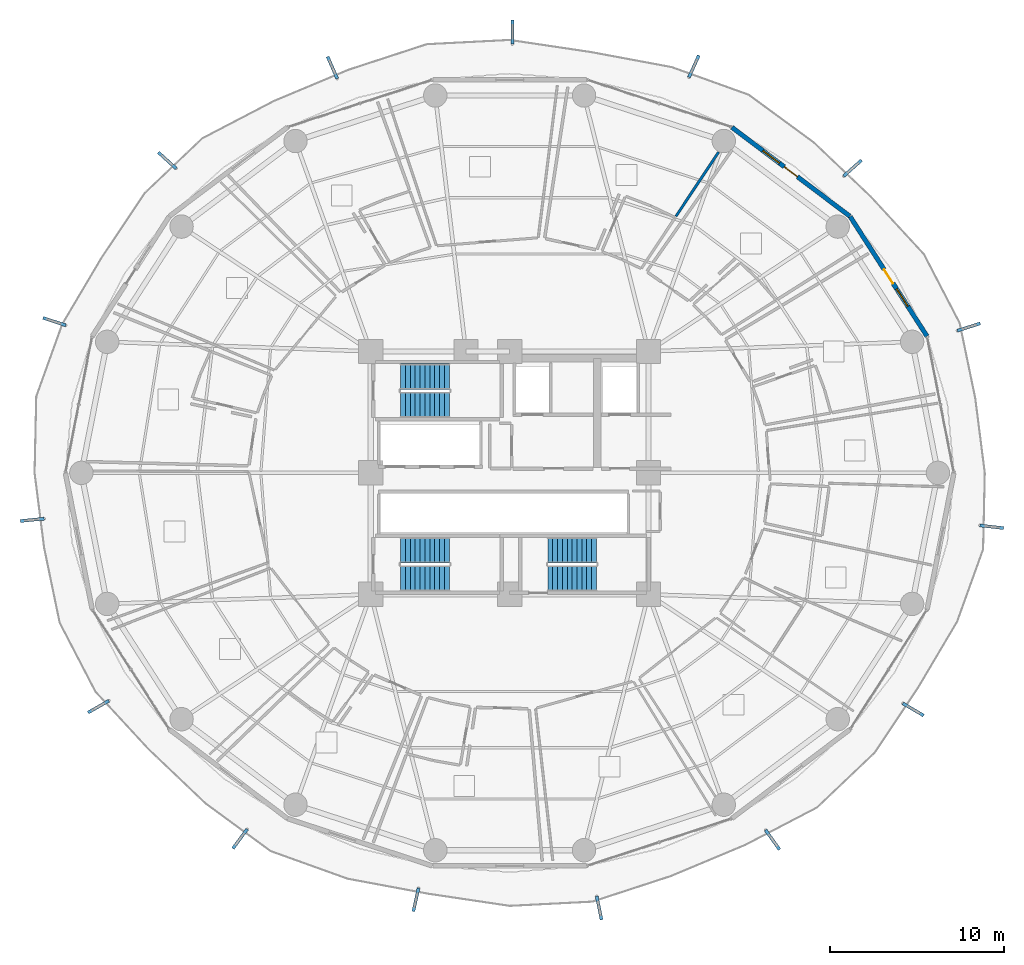
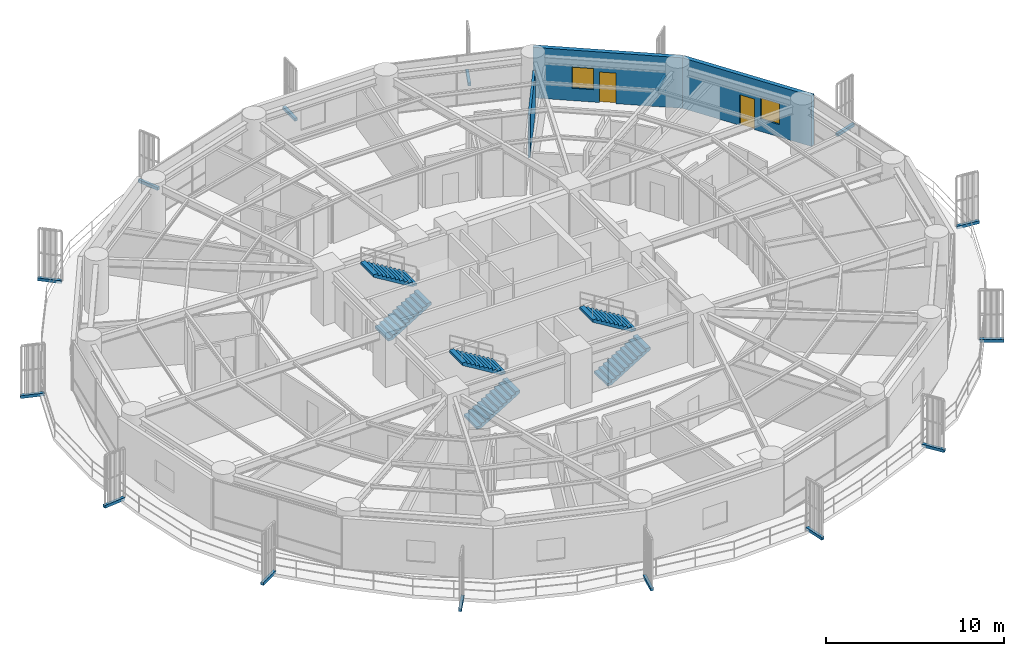
# One storey, part 29 of 33: 15 discrete accessories, 6 stair flights, 3 walls, 2 doors, 2 windows, 4 openings, 3 elements without a shape of their own.
"""IFC4 building model written with IfcOpenShell, lengths in metres."""

from ifc_helpers import new_model, si_unit, direction, frame, frame_2d, origin, origin_2d, place, context, subcontext, project, spatial, polyline, rectangle, outline, extrude, source, transform, mapped, material, layer, layer_set, type_object, element, fill, aggregate, save


model = new_model("IFC4")

# Units and contexts
model_context = context("Model", 3, precision=1e-05, world=origin(), true_north=direction((0.0, 1.0)))
body_context = subcontext(model_context, "Body", "Model", "MODEL_VIEW")
ifc_project = project(units=[si_unit("LENGTHUNIT", "METRE"), si_unit("AREAUNIT", "SQUARE_METRE"), si_unit("VOLUMEUNIT", "CUBIC_METRE"), si_unit("PLANEANGLEUNIT", "RADIAN"), si_unit("MASSUNIT", "GRAM", prefix="KILO")], contexts=[model_context])

# Site, building, storey
site_placement = place(None, origin())
site = spatial("IfcSite", under=ifc_project, at=site_placement, CompositionType="ELEMENT")
building_placement = place(site_placement, origin())
building = spatial("IfcBuilding", under=site, at=building_placement, Name="Kelanora Arch Commons", CompositionType="ELEMENT")
storey_placement = place(building_placement, frame((0.0, 0.0, 83.85009765625)))
storey = spatial("IfcBuildingStorey", under=building, at=storey_placement, Name="L21", CompositionType="ELEMENT", Elevation=83.85009765625)

# Wall
ifc_material_1 = material(Name="Autoclaved aerated concrete blockwork with fire plaster", Category="masonry")
ifc_layer_1 = layer(ifc_material_1, 0.14990234375)
ifc_layer_set_1 = layer_set([ifc_layer_1], Name="Autoclaved aerated concrete blockwork with fire plaster")
wall_type_1 = type_object("IfcWallType", Name="W-COMP-150", PredefinedType="PARTITIONING", material=ifc_layer_set_1)
wall_1_placement = place(storey_placement, frame((86.042724609375, 76.488037109375, 0.0), z_axis=(0.0, 0.0, 1.0), x_axis=(-0.553014365691, -0.833171717799, 0.0)))
element("IfcWall", 1, at=wall_1_placement, inside=storey, type_object=wall_type_1, Name="Co-Living Studio L21-03 Enclosure Partition 5", PredefinedType="PARTITIONING", context=body_context, shape_type="SweptSolid", body=[
    extrude(rectangle(XDim=4.44775390625, YDim=0.14990234375, at=frame_2d((2.223876953125, 0.0))), origin(), (0.0, 0.0, 1.0), 2.9248046875),
])

# Wall, openings, door, window
ifc_material_2 = material(Name="Precast concrete C40/50 with terracotta rainscreen", Category="masonry")
ifc_layer_2 = layer(ifc_material_2, 0.260009765625)
ifc_layer_set_2 = layer_set([ifc_layer_2], Name="Precast concrete C40/50 with terracotta rainscreen")
wall_type_2 = type_object("IfcWallType", Name="W-EXT-TC", PredefinedType="SOLIDWALL", material=ifc_layer_set_2)
wall_2_placement = place(storey_placement, frame((98.048095703125, 65.879150390625, 0.0), z_axis=(0.0, 0.0, 1.0), x_axis=(-0.540620528459, 0.841266571432, 0.0)))
wall_2 = element("IfcWall", 2, at=wall_2_placement, inside=storey, type_object=wall_type_2, Name="Terracotta Exterior Wall L21-B01", PredefinedType="SOLIDWALL", context=body_context, shape_type="SweptSolid", body=[
    extrude(rectangle(XDim=8.19287109375, YDim=0.260009765625, at=frame_2d((4.096435546875, 0.0))), origin(), (0.0, 0.0, 1.0), 3.474853515625),
])
opening_1_placement = place(wall_2_placement, frame((3.62109375, 0.0, 0.0)))
opening_1 = element("IfcOpeningElement", 3, at=opening_1_placement, cuts=wall_2, Name="Opening DB-01", PredefinedType="OPENING", context=body_context, shape_type="SweptSolid", body=[
    extrude(rectangle(XDim=0.949951171875, YDim=2.10009765625, at=frame_2d((0.47509765625, 1.050048828125))), frame((0.0, 0.14013671875, 0.0), z_axis=(0.0, -1.0, 0.0), x_axis=(1.0, 0.0, 0.0)), (0.0, 0.0, 1.0), 0.280029296875),
])
opening_2_placement = place(wall_2_placement, frame((2.041015625, 0.0, 0.85009765625)))
opening_2 = element("IfcOpeningElement", 4, at=opening_2_placement, cuts=wall_2, Name="Opening WN-02", PredefinedType="OPENING", context=body_context, shape_type="SweptSolid", body=[
    extrude(rectangle(XDim=1.199951171875, YDim=1.449951171875, at=frame_2d((0.60009765625, 0.72509765625))), frame((0.0, 0.14013671875, 0.0), z_axis=(0.0, -1.0, 0.0), x_axis=(1.0, 0.0, 0.0)), (0.0, 0.0, 1.0), 0.280029296875),
])
ifc_material_3 = material(Name="Terracotta-aluminium thermally broken glazed balcony door", Category="masonry")
door_type = type_object("IfcDoorType", Name="D-BAL-10", OperationType="NOTDEFINED", PredefinedType="DOOR", material=ifc_material_3)
door_1_placement = place(opening_1_placement, frame((0.949951171875, 0.0, 0.0), z_axis=(0.0, 0.0, 1.0), x_axis=(-1.0, 0.0, 0.0)))
door_1 = element("IfcDoor", 5, at=door_1_placement, inside=storey, type_object=door_type, Name="Wave Balcony Door L21-B01", OperationType="SINGLE_SWING_LEFT", OverallHeight=2.10009765625, OverallWidth=0.949951171875, PredefinedType="DOOR", context=body_context, shape_type="SweptSolid", body=[
    extrude(rectangle(XDim=0.949951171875, YDim=2.10009765625, at=frame_2d((0.47509765625, 1.050048828125))), frame((0.0, 0.02490234375, 0.0), z_axis=(0.0, -1.0, 0.0), x_axis=(1.0, 0.0, 0.0)), (0.0, 0.0, 1.0), 0.050048828125),
])
fill(opening_1, door_1)
ifc_material_4 = material(Name="Terracotta-anodised aluminium frame with operable awning sash", Category="masonry")
window_type = type_object("IfcWindowType", Name="WIN-CL-12", PartitioningType="SINGLE_PANEL", PredefinedType="WINDOW", material=ifc_material_4)
window_1_placement = place(opening_2_placement, origin())
window_1 = element("IfcWindow", 6, at=window_1_placement, inside=storey, type_object=window_type, Name="Co-Living Operable Window L21-B01", OverallHeight=1.449951171875, OverallWidth=1.199951171875, PartitioningType="SINGLE_PANEL", PredefinedType="WINDOW", context=body_context, shape_type="SweptSolid", body=[
    extrude(rectangle(XDim=1.199951171875, YDim=1.449951171875, at=frame_2d((0.60009765625, 0.72509765625))), frame((0.0, 0.030029296875, 0.0), z_axis=(0.0, -1.0, 0.0), x_axis=(1.0, 0.0, 0.0)), (0.0, 0.0, 1.0), 0.06005859375),
])
fill(opening_2, window_1)

wall_3_placement = place(storey_placement, frame((93.5986328125, 72.793212890625, 0.0), z_axis=(0.0, 0.0, 1.0), x_axis=(-0.798501507879, 0.601992808857, 0.0)))
wall_3 = element("IfcWall", 7, at=wall_3_placement, inside=storey, type_object=wall_type_2, Name="Terracotta Exterior Wall L21-B02", PredefinedType="SOLIDWALL", context=body_context, shape_type="SweptSolid", body=[
    extrude(rectangle(XDim=8.499267578125, YDim=0.260009765625, at=frame_2d((4.24951171875, 0.0))), origin(), (0.0, 0.0, 1.0), 3.474853515625),
])
opening_3_placement = place(wall_3_placement, frame((3.77490234375, 0.0, 0.0)))
opening_3 = element("IfcOpeningElement", 8, at=opening_3_placement, cuts=wall_3, Name="Opening DB-01", PredefinedType="OPENING", context=body_context, shape_type="SweptSolid", body=[
    extrude(rectangle(XDim=0.949951171875, YDim=2.10009765625, at=frame_2d((0.47509765625, 1.050048828125))), frame((0.0, 0.14013671875, 0.0), z_axis=(0.0, -1.0, 0.0), x_axis=(1.0, 0.0, 0.0)), (0.0, 0.0, 1.0), 0.280029296875),
])
opening_4_placement = place(wall_3_placement, frame((5.074951171875, 0.0, 0.85009765625)))
opening_4 = element("IfcOpeningElement", 9, at=opening_4_placement, cuts=wall_3, Name="Opening WN-02", PredefinedType="OPENING", context=body_context, shape_type="SweptSolid", body=[
    extrude(rectangle(XDim=1.199951171875, YDim=1.449951171875, at=frame_2d((0.60009765625, 0.72509765625))), frame((0.0, 0.14013671875, 0.0), z_axis=(0.0, -1.0, 0.0), x_axis=(1.0, 0.0, 0.0)), (0.0, 0.0, 1.0), 0.280029296875),
])
door_2_placement = place(opening_3_placement, frame((0.949951171875, 0.0, 0.0), z_axis=(0.0, 0.0, 1.0), x_axis=(-1.0, 0.0, 0.0)))
door_2 = element("IfcDoor", 10, at=door_2_placement, inside=storey, type_object=door_type, Name="Wave Balcony Door L21-B02", OperationType="SINGLE_SWING_RIGHT", OverallHeight=2.10009765625, OverallWidth=0.949951171875, PredefinedType="DOOR", context=body_context, shape_type="SweptSolid", body=[
    extrude(rectangle(XDim=0.949951171875, YDim=2.10009765625, at=frame_2d((0.47509765625, 1.050048828125))), frame((0.0, 0.02490234375, 0.0), z_axis=(0.0, -1.0, 0.0), x_axis=(1.0, 0.0, 0.0)), (0.0, 0.0, 1.0), 0.050048828125),
])
fill(opening_3, door_2)
window_2_placement = place(opening_4_placement, origin())
window_2 = element("IfcWindow", 11, at=window_2_placement, inside=storey, type_object=window_type, Name="Co-Living Operable Window L21-B02", OverallHeight=1.449951171875, OverallWidth=1.199951171875, PartitioningType="SINGLE_PANEL", PredefinedType="WINDOW", context=body_context, shape_type="SweptSolid", body=[
    extrude(rectangle(XDim=1.199951171875, YDim=1.449951171875, at=frame_2d((0.60009765625, 0.72509765625))), frame((0.0, 0.030029296875, 0.0), z_axis=(0.0, -1.0, 0.0), x_axis=(1.0, 0.0, 0.0)), (0.0, 0.0, 1.0), 0.06005859375),
])
fill(opening_4, window_2)

# Stair, stair flights
ifc_material_5 = material(Name="Concrete C40/50", Category="concrete")
stair_type = type_object("IfcStairType", Name="STR-DL-375", PredefinedType="HALF_TURN_STAIR", material=ifc_material_5)
stair_1_placement = place(storey_placement, origin())
stair_1 = element("IfcStair", 12, at=stair_1_placement, inside=storey, type_object=stair_type, Name="L21 ST-T1", PredefinedType="HALF_TURN_STAIR")
stair_flight_type = type_object("IfcStairFlightType", Name="FLT-DL-375", PredefinedType="STRAIGHT", material=ifc_material_5)
stair_flight_1_placement = place(storey_placement, frame((67.719970703125, 61.919921875, 0.0), z_axis=(0.0, 0.0, 1.0), x_axis=(1.0, 0.0, 0.0)))
stair_flight_1 = element("IfcStairFlight", 13, at=stair_flight_1_placement, type_object=stair_flight_type, Name="ST-T1 flight 1", NumberOfRisers=11, NumberOfTreads=10, PredefinedType="STRAIGHT", RiserHeight=0.170454545, TreadLength=0.28, context=body_context, shape_type="SweptSolid", body=[
    extrude(outline(polyline([(0.0, 0.0), (0.0, 0.17041015625), (0.280029296875, 0.17041015625), (0.280029296875, 0.3408203125), (0.56005859375, 0.3408203125), (0.56005859375, 0.511474609375), (0.840087890625, 0.511474609375), (0.840087890625, 0.681884765625), (1.1201171875, 0.681884765625), (1.1201171875, 0.852294921875), (1.39990234375, 0.852294921875), (1.39990234375, 1.022705078125), (1.679931640625, 1.022705078125), (1.679931640625, 1.193115234375), (1.9599609375, 1.193115234375), (1.9599609375, 1.363525390625), (2.239990234375, 1.363525390625), (2.239990234375, 1.5341796875), (2.52001953125, 1.5341796875), (2.52001953125, 1.70458984375), (2.800048828125, 1.70458984375), (2.800048828125, 1.875), (2.800048828125, 1.529052734375), (0.288330078125, 0.0), (0.0, 0.0)])), frame((0.0, 0.739990234375, 0.0), z_axis=(0.0, -1.0, 0.0), x_axis=(1.0, 0.0, 0.0)), (0.0, 0.0, 1.0), 1.47998046875),
])
stair_flight_2_placement = place(storey_placement, frame((70.52001953125, 63.550048828125, 1.875), z_axis=(0.0, 0.0, 1.0), x_axis=(-1.0, 0.0, 0.0)))
stair_flight_2 = element("IfcStairFlight", 14, at=stair_flight_2_placement, type_object=stair_flight_type, Name="ST-T1 flight 2", NumberOfRisers=11, NumberOfTreads=10, PredefinedType="STRAIGHT", RiserHeight=0.170454545, TreadLength=0.28, context=body_context, shape_type="SweptSolid", body=[
    extrude(outline(polyline([(0.0, 0.0), (0.0, 0.17041015625), (0.280029296875, 0.17041015625), (0.280029296875, 0.3408203125), (0.56005859375, 0.3408203125), (0.56005859375, 0.511474609375), (0.840087890625, 0.511474609375), (0.840087890625, 0.681884765625), (1.1201171875, 0.681884765625), (1.1201171875, 0.852294921875), (1.39990234375, 0.852294921875), (1.39990234375, 1.022705078125), (1.679931640625, 1.022705078125), (1.679931640625, 1.193115234375), (1.9599609375, 1.193115234375), (1.9599609375, 1.363525390625), (2.239990234375, 1.363525390625), (2.239990234375, 1.5341796875), (2.52001953125, 1.5341796875), (2.52001953125, 1.70458984375), (2.800048828125, 1.70458984375), (2.800048828125, 1.875), (2.800048828125, 1.529052734375), (0.288330078125, 0.0), (0.0, 0.0)])), frame((0.0, 0.739990234375, 0.0), z_axis=(0.0, -1.0, 0.0), x_axis=(1.0, 0.0, 0.0)), (0.0, 0.0, 1.0), 1.47998046875),
])
aggregate(stair_1, [stair_flight_1, stair_flight_2])

stair_2_placement = place(storey_placement, origin())
stair_2 = element("IfcStair", 15, at=stair_2_placement, inside=storey, type_object=stair_type, Name="L21 ST-T2", PredefinedType="HALF_TURN_STAIR")
stair_flight_3_placement = place(storey_placement, frame((76.199951171875, 51.919921875, 0.0), z_axis=(0.0, 0.0, 1.0), x_axis=(1.0, 0.0, 0.0)))
stair_flight_3 = element("IfcStairFlight", 16, at=stair_flight_3_placement, type_object=stair_flight_type, Name="ST-T2 flight 1", NumberOfRisers=11, NumberOfTreads=10, PredefinedType="STRAIGHT", RiserHeight=0.170454545, TreadLength=0.28, context=body_context, shape_type="SweptSolid", body=[
    extrude(outline(polyline([(0.0, 0.0), (0.0, 0.17041015625), (0.280029296875, 0.17041015625), (0.280029296875, 0.3408203125), (0.56005859375, 0.3408203125), (0.56005859375, 0.511474609375), (0.840087890625, 0.511474609375), (0.840087890625, 0.681884765625), (1.1201171875, 0.681884765625), (1.1201171875, 0.852294921875), (1.39990234375, 0.852294921875), (1.39990234375, 1.022705078125), (1.679931640625, 1.022705078125), (1.679931640625, 1.193115234375), (1.9599609375, 1.193115234375), (1.9599609375, 1.363525390625), (2.239990234375, 1.363525390625), (2.239990234375, 1.5341796875), (2.52001953125, 1.5341796875), (2.52001953125, 1.70458984375), (2.800048828125, 1.70458984375), (2.800048828125, 1.875), (2.800048828125, 1.529052734375), (0.288330078125, 0.0), (0.0, 0.0)])), frame((0.0, 0.739990234375, 0.0), z_axis=(0.0, -1.0, 0.0), x_axis=(1.0, 0.0, 0.0)), (0.0, 0.0, 1.0), 1.47998046875),
])
stair_flight_4_placement = place(storey_placement, frame((79.0, 53.550048828125, 1.875), z_axis=(0.0, 0.0, 1.0), x_axis=(-1.0, 0.0, 0.0)))
stair_flight_4 = element("IfcStairFlight", 17, at=stair_flight_4_placement, type_object=stair_flight_type, Name="ST-T2 flight 2", NumberOfRisers=11, NumberOfTreads=10, PredefinedType="STRAIGHT", RiserHeight=0.170454545, TreadLength=0.28, context=body_context, shape_type="SweptSolid", body=[
    extrude(outline(polyline([(0.0, 0.0), (0.0, 0.17041015625), (0.280029296875, 0.17041015625), (0.280029296875, 0.3408203125), (0.56005859375, 0.3408203125), (0.56005859375, 0.511474609375), (0.840087890625, 0.511474609375), (0.840087890625, 0.681884765625), (1.1201171875, 0.681884765625), (1.1201171875, 0.852294921875), (1.39990234375, 0.852294921875), (1.39990234375, 1.022705078125), (1.679931640625, 1.022705078125), (1.679931640625, 1.193115234375), (1.9599609375, 1.193115234375), (1.9599609375, 1.363525390625), (2.239990234375, 1.363525390625), (2.239990234375, 1.5341796875), (2.52001953125, 1.5341796875), (2.52001953125, 1.70458984375), (2.800048828125, 1.70458984375), (2.800048828125, 1.875), (2.800048828125, 1.529052734375), (0.288330078125, 0.0), (0.0, 0.0)])), frame((0.0, 0.739990234375, 0.0), z_axis=(0.0, -1.0, 0.0), x_axis=(1.0, 0.0, 0.0)), (0.0, 0.0, 1.0), 1.47998046875),
])
aggregate(stair_2, [stair_flight_3, stair_flight_4])

stair_3_placement = place(storey_placement, origin())
stair_3 = element("IfcStair", 18, at=stair_3_placement, inside=storey, type_object=stair_type, Name="L21 ST-T3", PredefinedType="HALF_TURN_STAIR")
stair_flight_5_placement = place(storey_placement, frame((67.719970703125, 51.919921875, 0.0), z_axis=(0.0, 0.0, 1.0), x_axis=(1.0, 0.0, 0.0)))
stair_flight_5 = element("IfcStairFlight", 19, at=stair_flight_5_placement, type_object=stair_flight_type, Name="ST-T3 flight 1", NumberOfRisers=11, NumberOfTreads=10, PredefinedType="STRAIGHT", RiserHeight=0.170454545, TreadLength=0.28, context=body_context, shape_type="SweptSolid", body=[
    extrude(outline(polyline([(0.0, 0.0), (0.0, 0.17041015625), (0.280029296875, 0.17041015625), (0.280029296875, 0.3408203125), (0.56005859375, 0.3408203125), (0.56005859375, 0.511474609375), (0.840087890625, 0.511474609375), (0.840087890625, 0.681884765625), (1.1201171875, 0.681884765625), (1.1201171875, 0.852294921875), (1.39990234375, 0.852294921875), (1.39990234375, 1.022705078125), (1.679931640625, 1.022705078125), (1.679931640625, 1.193115234375), (1.9599609375, 1.193115234375), (1.9599609375, 1.363525390625), (2.239990234375, 1.363525390625), (2.239990234375, 1.5341796875), (2.52001953125, 1.5341796875), (2.52001953125, 1.70458984375), (2.800048828125, 1.70458984375), (2.800048828125, 1.875), (2.800048828125, 1.529052734375), (0.288330078125, 0.0), (0.0, 0.0)])), frame((0.0, 0.739990234375, 0.0), z_axis=(0.0, -1.0, 0.0), x_axis=(1.0, 0.0, 0.0)), (0.0, 0.0, 1.0), 1.47998046875),
])
stair_flight_6_placement = place(storey_placement, frame((70.52001953125, 53.550048828125, 1.875), z_axis=(0.0, 0.0, 1.0), x_axis=(-1.0, 0.0, 0.0)))
stair_flight_6 = element("IfcStairFlight", 20, at=stair_flight_6_placement, type_object=stair_flight_type, Name="ST-T3 flight 2", NumberOfRisers=11, NumberOfTreads=10, PredefinedType="STRAIGHT", RiserHeight=0.170454545, TreadLength=0.28, context=body_context, shape_type="SweptSolid", body=[
    extrude(outline(polyline([(0.0, 0.0), (0.0, 0.17041015625), (0.280029296875, 0.17041015625), (0.280029296875, 0.3408203125), (0.56005859375, 0.3408203125), (0.56005859375, 0.511474609375), (0.840087890625, 0.511474609375), (0.840087890625, 0.681884765625), (1.1201171875, 0.681884765625), (1.1201171875, 0.852294921875), (1.39990234375, 0.852294921875), (1.39990234375, 1.022705078125), (1.679931640625, 1.022705078125), (1.679931640625, 1.193115234375), (1.9599609375, 1.193115234375), (1.9599609375, 1.363525390625), (2.239990234375, 1.363525390625), (2.239990234375, 1.5341796875), (2.52001953125, 1.5341796875), (2.52001953125, 1.70458984375), (2.800048828125, 1.70458984375), (2.800048828125, 1.875), (2.800048828125, 1.529052734375), (0.288330078125, 0.0), (0.0, 0.0)])), frame((0.0, 0.739990234375, 0.0), z_axis=(0.0, -1.0, 0.0), x_axis=(1.0, 0.0, 0.0)), (0.0, 0.0, 1.0), 1.47998046875),
])
aggregate(stair_3, [stair_flight_5, stair_flight_6])

# Discrete accessories
ifc_material_6 = material(Name="Stainless steel 316 marine fin bracket", Category="steel")
discrete_accessory_type = type_object("IfcDiscreteAccessoryType", Name="ACC-FIN-BRK", PredefinedType="BRACKET", material=ifc_material_6)
shared_shape = source(origin(), body_context, "Body", "SweptSolid", [
    extrude(rectangle(XDim=1.38232421875, YDim=0.179931640625, at=origin_2d()), origin(), (0.0, 0.0, 1.0), 0.199951171875),
])
for number, where, z_axis, x_axis, name in (
    (21, (93.762451171875, 75.558349609375, -0.16015625), (0.0, 0.0, 1.0), (0.747566290977, 0.664187202975, 0.0), "Sweeping Fin Cantilever Spine Bracket L21-00"),
    (22, (84.615478515625, 81.423583984375, -0.16015625), (0.0, 0.0, 1.0), (0.412786516097, 0.91082780597, 0.0), "Sweeping Fin Cantilever Spine Bracket L21-01"),
    (23, (74.16845703125, 83.395751953125, -0.16015625), (0.0, 0.0, 1.0), (0.006632202536, 0.999978006703, 0.0), "Sweeping Fin Cantilever Spine Bracket L21-02"),
    (24, (63.787353515625, 81.353515625, -0.16015625), (0.0, 0.0, 1.0), (-0.400668879095, 0.916222925562, 0.0), "Sweeping Fin Cantilever Spine Bracket L21-03"),
    (25, (54.269287109375, 76.004150390625, -0.16015625), (0.0, 0.0, 1.0), (-0.738690671568, 0.674044576967, 0.0), "Sweeping Fin Cantilever Spine Bracket L21-04"),
    (26, (47.76953125, 66.715576171875, -0.16015625), (0.0, 0.0, 1.0), (-0.948986136133, 0.315317797511, 0.0), "Sweeping Fin Cantilever Spine Bracket L21-05"),
    (27, (46.492919921875, 55.293212890625, -0.16015625), (0.0, 0.0, 1.0), (-0.995193276492, -0.097930293706, 0.0), "Sweeping Fin Cantilever Spine Bracket L21-06"),
    (28, (50.30859375, 44.530517578125, -0.16015625), (0.0, 0.0, 1.0), (-0.869322458298, -0.494245347472, 0.0), "Sweeping Fin Cantilever Spine Bracket L21-07"),
    (29, (58.467041015625, 36.916259765625, -0.16015625), (0.0, 0.0, 1.0), (-0.593137889518, -0.805100890583, 0.0), "Sweeping Fin Cantilever Spine Bracket L21-08"),
    (30, (68.60107421875, 33.4033203125, -0.16015625), (0.0, 0.0, 1.0), (-0.214394391152, -0.9767471756, 0.0), "Sweeping Fin Cantilever Spine Bracket L21-09"),
    (31, (79.155517578125, 32.927978515625, -0.16015625), (0.0, 0.0, 1.0), (0.201419845156, -0.979505000486, 0.0), "Sweeping Fin Cantilever Spine Bracket L21-10"),
    (32, (89.147216796875, 36.858154296875, -0.16015625), (0.0, 0.0, 1.0), (0.582406760395, -0.812897512265, 0.0), "Sweeping Fin Cantilever Spine Bracket L21-11"),
    (33, (97.25634765625, 44.366455078125, -0.16015625), (0.0, 0.0, 1.0), (0.862690255763, -0.505732659231, 0.0), "Sweeping Fin Cantilever Spine Bracket L21-12"),
    (34, (101.779052734375, 54.893798828125, -0.16015625), (0.0, 0.0, 1.0), (0.993806768614, -0.111122034978, 0.0), "Sweeping Fin Cantilever Spine Bracket L21-13"),
    (35, (100.45703125, 66.40283203125, -0.16015625), (0.0, 0.0, 1.0), (0.95308506272, 0.302702598633, 0.0), "Sweeping Fin Cantilever Spine Bracket L21-14"),
):
    element("IfcDiscreteAccessory", number, at=place(storey_placement, frame(where, z_axis=z_axis, x_axis=x_axis)), inside=storey, type_object=discrete_accessory_type, Name=name, PredefinedType="BRACKET", context=body_context, shape_type="MappedRepresentation", body=[
        mapped(shared_shape, transform((0.0, 0.0, 0.0), scale=1.0)),
    ])

save(model, "model.ifc")
